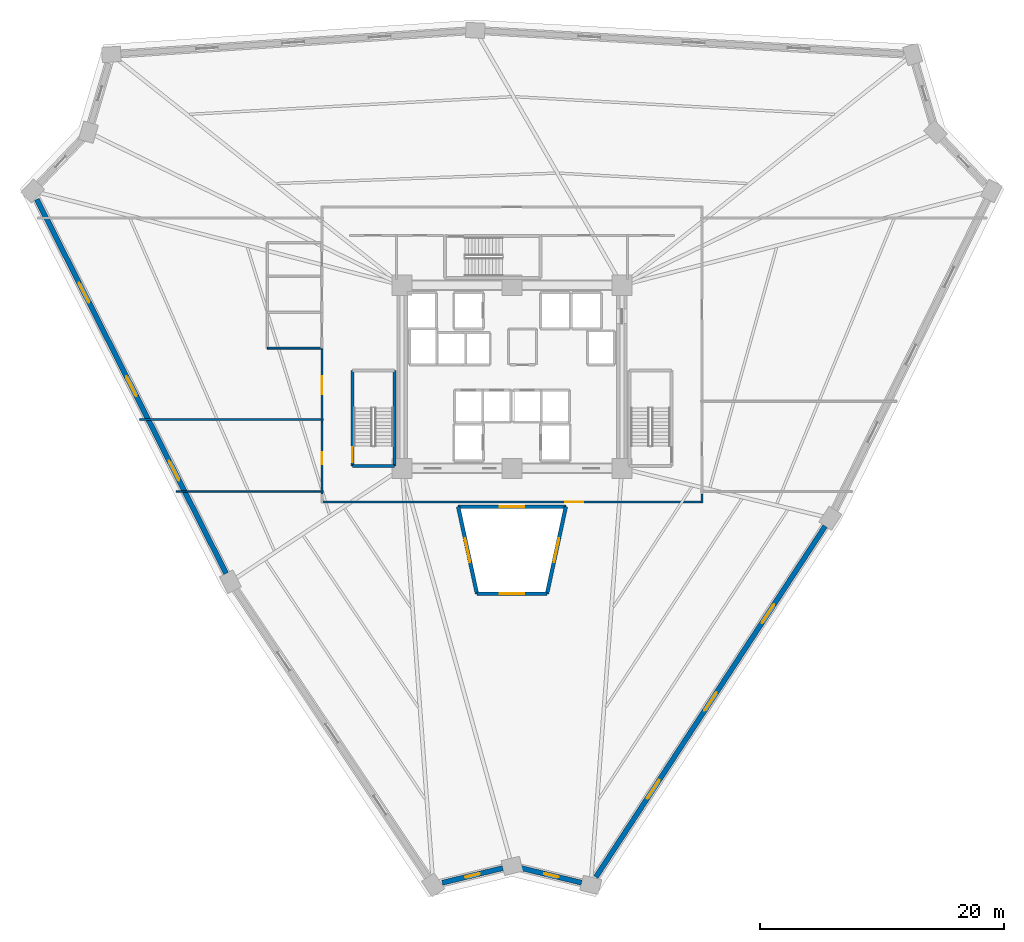
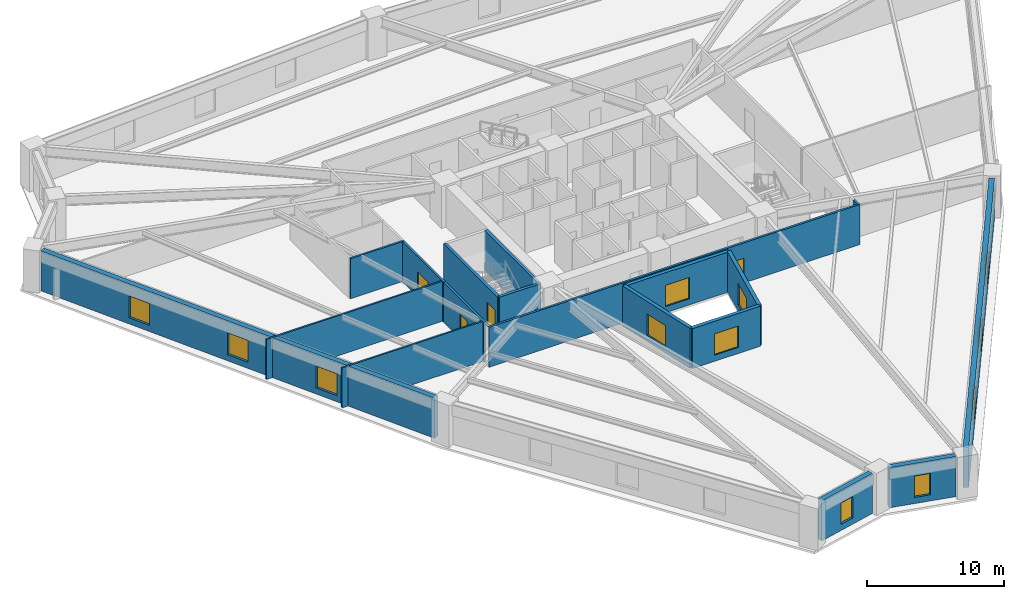
# One storey, part 3 of 8: 18 walls, 12 windows, 4 doors, 16 openings.
"""IFC4 building model written with IfcOpenShell, lengths in metres."""

from ifc_helpers import new_model, si_unit, direction, frame, frame_2d, origin, place, context, subcontext, project, spatial, rectangle, extrude, source, transform, mapped, material, layer, layer_set, type_object, element, fill, save


model = new_model("IFC4")

# Units and contexts
model_context = context("Model", 3, precision=1e-05, world=origin(), true_north=direction((0.0, 1.0)))
body_context = subcontext(model_context, "Body", "Model", "MODEL_VIEW")
ifc_project = project(units=[si_unit("LENGTHUNIT", "METRE"), si_unit("AREAUNIT", "SQUARE_METRE"), si_unit("VOLUMEUNIT", "CUBIC_METRE"), si_unit("PLANEANGLEUNIT", "RADIAN"), si_unit("MASSUNIT", "GRAM", prefix="KILO")], contexts=[model_context])

# Site, building, storey
site_placement = place(None, origin())
site = spatial("IfcSite", under=ifc_project, at=site_placement, CompositionType="ELEMENT")
building_placement = place(site_placement, origin())
building = spatial("IfcBuilding", under=site, at=building_placement, Name="Liaohun Quay Tower", CompositionType="ELEMENT")
storey_placement = place(building_placement, frame((0.0, 0.0, 32.25)))
storey = spatial("IfcBuildingStorey", under=building, at=storey_placement, Name="L08", CompositionType="ELEMENT", Elevation=32.25)

# Wall, opening, window
ifc_material_1 = material(Name="Concrete C50", Category="concrete")
ifc_layer_1 = layer(ifc_material_1, 0.300048828125, Name="Concrete C50", Category="concrete")
ifc_layer_set_1 = layer_set([ifc_layer_1], Name="Concrete C50")
wall_type_1 = type_object("IfcWallType", Name="WAL-ATR-300", PredefinedType="SOLIDWALL", material=ifc_layer_set_1)
wall_1_placement = place(storey_placement, frame((57.133056640625, 36.22998046875, 0.0), z_axis=(0.0, 0.0, 1.0), x_axis=(-0.211350050716, 0.97741043378, 0.0)))
wall_1 = element("IfcWall", 1, at=wall_1_placement, inside=storey, type_object=wall_type_1, Name="L08 Atrium Fire Compartment Wall 1", PredefinedType="SOLIDWALL", context=body_context, shape_type="SweptSolid", body=[
    extrude(rectangle(XDim=7.30517578125, YDim=0.300048828125, at=frame_2d((3.652587890625, 0.0))), origin(), (0.0, 0.0, 1.0), 3.570068359375),
])
shared_shape_1 = source(origin(), body_context, "Body", "SweptSolid", [
    extrude(rectangle(XDim=2.0, YDim=1.89990234375, at=frame_2d((1.0, 0.949951171875))), frame((0.0, 0.159912109375, 0.0), z_axis=(0.0, -1.0, 0.0), x_axis=(1.0, 0.0, 0.0)), (0.0, 0.0, 1.0), 0.320068359375),
])
opening_1_placement = place(wall_1_placement, frame((2.653076171875, 0.0, 0.550048828125)))
opening_1 = element("IfcOpeningElement", 2, at=opening_1_placement, cuts=wall_1, Name="Opening W07", PredefinedType="OPENING", context=body_context, shape_type="MappedRepresentation", body=[
    mapped(shared_shape_1, transform((0.0, 0.0, 0.0), x_axis=(1.0, 0.0, 0.0), y_axis=(0.0, 1.0, 0.0), z_axis=(0.0, 0.0, 1.0), scale=1.0)),
])
ifc_material_2 = material(Name="Class A 180-min fire-resistant insulated glazing", Category="glass")
window_type_1 = type_object("IfcWindowType", Name="WIN-ATR-FIR", PartitioningType="DOUBLE_PANEL_VERTICAL", PredefinedType="WINDOW", material=ifc_material_2)
shared_shape_2 = source(origin(), body_context, "Body", "SweptSolid", [
    extrude(rectangle(XDim=2.0, YDim=1.89990234375, at=frame_2d((1.0, 0.949951171875))), frame((0.0, 0.030029296875, 0.0), z_axis=(0.0, -1.0, 0.0), x_axis=(1.0, 0.0, 0.0)), (0.0, 0.0, 1.0), 0.06005859375),
])
window_1_placement = place(opening_1_placement, origin())
window_1 = element("IfcWindow", 3, at=window_1_placement, inside=storey, type_object=window_type_1, Name="L08 Atrium Fire-Resistant Glazing W07-1", OverallHeight=1.89990234375, OverallWidth=2.0, PartitioningType="DOUBLE_PANEL_VERTICAL", PredefinedType="WINDOW", context=body_context, shape_type="MappedRepresentation", body=[
    mapped(shared_shape_2, transform((0.0, 0.0, 0.0), x_axis=(1.0, 0.0, 0.0), y_axis=(0.0, 1.0, 0.0), z_axis=(0.0, 0.0, 1.0), scale=1.0)),
])
fill(opening_1, window_1)

wall_2_placement = place(storey_placement, frame((55.589111328125, 43.3701171875, 0.0), z_axis=(0.0, 0.0, 1.0), x_axis=(1.0, 0.0, 0.0)))
wall_2 = element("IfcWall", 4, at=wall_2_placement, inside=storey, type_object=wall_type_1, Name="L08 Atrium Fire Compartment Wall 2", PredefinedType="SOLIDWALL", context=body_context, shape_type="SweptSolid", body=[
    extrude(rectangle(XDim=8.82177734375, YDim=0.300048828125, at=frame_2d((4.410888671875, 0.0))), origin(), (0.0, 0.0, 1.0), 3.570068359375),
])
opening_2_placement = place(wall_2_placement, frame((3.410888671875, 0.0, 0.550048828125)))
opening_2 = element("IfcOpeningElement", 5, at=opening_2_placement, cuts=wall_2, Name="Opening W07", PredefinedType="OPENING", context=body_context, shape_type="MappedRepresentation", body=[
    mapped(shared_shape_1, transform((0.0, 0.0, 0.0), x_axis=(1.0, 0.0, 0.0), y_axis=(0.0, 1.0, 0.0), z_axis=(0.0, 0.0, 1.0), scale=1.0)),
])
window_2_placement = place(opening_2_placement, origin())
window_2 = element("IfcWindow", 6, at=window_2_placement, inside=storey, type_object=window_type_1, Name="L08 Atrium Fire-Resistant Glazing W07-2", OverallHeight=1.89990234375, OverallWidth=2.0, PartitioningType="DOUBLE_PANEL_VERTICAL", PredefinedType="WINDOW", context=body_context, shape_type="MappedRepresentation", body=[
    mapped(shared_shape_2, transform((0.0, 0.0, 0.0), x_axis=(1.0, 0.0, 0.0), y_axis=(0.0, 1.0, 0.0), z_axis=(0.0, 0.0, 1.0), scale=1.0)),
])
fill(opening_2, window_2)

wall_3_placement = place(storey_placement, frame((64.410888671875, 43.3701171875, 0.0), z_axis=(0.0, 0.0, 1.0), x_axis=(-0.211350050716, -0.97741043378, 0.0)))
wall_3 = element("IfcWall", 7, at=wall_3_placement, inside=storey, type_object=wall_type_1, Name="L08 Atrium Fire Compartment Wall 3", PredefinedType="SOLIDWALL", context=body_context, shape_type="SweptSolid", body=[
    extrude(rectangle(XDim=7.30517578125, YDim=0.300048828125, at=frame_2d((3.652587890625, 0.0))), origin(), (0.0, 0.0, 1.0), 3.570068359375),
])
opening_3_placement = place(wall_3_placement, frame((2.653076171875, 0.0, 0.550048828125)))
opening_3 = element("IfcOpeningElement", 8, at=opening_3_placement, cuts=wall_3, Name="Opening W07", PredefinedType="OPENING", context=body_context, shape_type="MappedRepresentation", body=[
    mapped(shared_shape_1, transform((0.0, 0.0, 0.0), x_axis=(1.0, 0.0, 0.0), y_axis=(0.0, 1.0, 0.0), z_axis=(0.0, 0.0, 1.0), scale=1.0)),
])
window_3_placement = place(opening_3_placement, origin())
window_3 = element("IfcWindow", 9, at=window_3_placement, inside=storey, type_object=window_type_1, Name="L08 Atrium Fire-Resistant Glazing W07-3", OverallHeight=1.89990234375, OverallWidth=2.0, PartitioningType="DOUBLE_PANEL_VERTICAL", PredefinedType="WINDOW", context=body_context, shape_type="MappedRepresentation", body=[
    mapped(shared_shape_2, transform((0.0, 0.0, 0.0), x_axis=(1.0, 0.0, 0.0), y_axis=(0.0, 1.0, 0.0), z_axis=(0.0, 0.0, 1.0), scale=1.0)),
])
fill(opening_3, window_3)

wall_4_placement = place(storey_placement, frame((62.866943359375, 36.22998046875, 0.0), z_axis=(0.0, 0.0, 1.0), x_axis=(-1.0, 0.0, 0.0)))
wall_4 = element("IfcWall", 10, at=wall_4_placement, inside=storey, type_object=wall_type_1, Name="L08 Atrium Fire Compartment Wall 4", PredefinedType="SOLIDWALL", context=body_context, shape_type="SweptSolid", body=[
    extrude(rectangle(XDim=5.73388671875, YDim=0.300048828125, at=frame_2d((2.866943359375, 0.0))), origin(), (0.0, 0.0, 1.0), 3.570068359375),
])
opening_4_placement = place(wall_4_placement, frame((1.866943359375, 0.0, 0.550048828125)))
opening_4 = element("IfcOpeningElement", 11, at=opening_4_placement, cuts=wall_4, Name="Opening W07", PredefinedType="OPENING", context=body_context, shape_type="MappedRepresentation", body=[
    mapped(shared_shape_1, transform((0.0, 0.0, 0.0), x_axis=(1.0, 0.0, 0.0), y_axis=(0.0, 1.0, 0.0), z_axis=(0.0, 0.0, 1.0), scale=1.0)),
])
window_4_placement = place(opening_4_placement, origin())
window_4 = element("IfcWindow", 12, at=window_4_placement, inside=storey, type_object=window_type_1, Name="L08 Atrium Fire-Resistant Glazing W07-4", OverallHeight=1.89990234375, OverallWidth=2.0, PartitioningType="DOUBLE_PANEL_VERTICAL", PredefinedType="WINDOW", context=body_context, shape_type="MappedRepresentation", body=[
    mapped(shared_shape_2, transform((0.0, 0.0, 0.0), x_axis=(1.0, 0.0, 0.0), y_axis=(0.0, 1.0, 0.0), z_axis=(0.0, 0.0, 1.0), scale=1.0)),
])
fill(opening_4, window_4)

ifc_material_3 = material(Name="Precast concrete C50 insulated sandwich", Category="concrete")
ifc_layer_2 = layer(ifc_material_3, 0.419921875, Name="Precast concrete C50 insulated sandwich", Category="concrete")
ifc_layer_set_2 = layer_set([ifc_layer_2], Name="Precast concrete C50 insulated sandwich")
wall_type_2 = type_object("IfcWallType", Name="WAL-EXT-Z12", PredefinedType="SOLIDWALL", material=ifc_layer_set_2)
wall_5_placement = place(storey_placement, frame((60.743896484375, 13.77587890625, 0.0), z_axis=(0.0, 0.0, 1.0), x_axis=(0.972105159674, -0.234545429577, 0.0)))
wall_5 = element("IfcWall", 13, at=wall_5_placement, inside=storey, type_object=wall_type_2, Name="L08 Brutalist Precast Pier Wall 01", PredefinedType="SOLIDWALL", context=body_context, shape_type="SweptSolid", body=[
    extrude(rectangle(XDim=5.1025390625, YDim=0.419921875, at=frame_2d((2.55126953125, 0.0))), origin(), (0.0, 0.0, 1.0), 3.570068359375),
])
shared_shape_3 = source(origin(), body_context, "Body", "SweptSolid", [
    extrude(rectangle(XDim=1.199951171875, YDim=1.89990234375, at=frame_2d((0.60009765625, 0.949951171875))), frame((0.0, 0.219970703125, 0.0), z_axis=(0.0, -1.0, 0.0), x_axis=(1.0, 0.0, 0.0)), (0.0, 0.0, 1.0), 0.43994140625),
])
opening_5_placement = place(wall_5_placement, frame((1.950927734375, 0.0, 0.550048828125)))
opening_5 = element("IfcOpeningElement", 14, at=opening_5_placement, cuts=wall_5, Name="Opening W05", PredefinedType="OPENING", context=body_context, shape_type="MappedRepresentation", body=[
    mapped(shared_shape_3, transform((0.0, 0.0, 0.0), x_axis=(1.0, 0.0, 0.0), y_axis=(0.0, 1.0, 0.0), z_axis=(0.0, 0.0, 1.0), scale=1.0)),
])
ifc_material_4 = material(Name="Triple Low-E corner notch glazing", Category="glass")
window_type_2 = type_object("IfcWindowType", Name="WIN-NOTCH", PartitioningType="SINGLE_PANEL", PredefinedType="WINDOW", material=ifc_material_4)
shared_shape_4 = source(origin(), body_context, "Body", "SweptSolid", [
    extrude(rectangle(XDim=1.199951171875, YDim=1.89990234375, at=frame_2d((0.60009765625, 0.949951171875))), frame((0.0, 0.030029296875, 0.0), z_axis=(0.0, -1.0, 0.0), x_axis=(1.0, 0.0, 0.0)), (0.0, 0.0, 1.0), 0.06005859375),
])
window_5_placement = place(opening_5_placement, origin())
window_5 = element("IfcWindow", 15, at=window_5_placement, inside=storey, type_object=window_type_2, Name="L08 Corner Notch Window W05-01", OverallHeight=1.89990234375, OverallWidth=1.199951171875, PartitioningType="SINGLE_PANEL", PredefinedType="WINDOW", context=body_context, shape_type="MappedRepresentation", body=[
    mapped(shared_shape_4, transform((0.0, 0.0, 0.0), x_axis=(1.0, 0.0, 0.0), y_axis=(0.0, 1.0, 0.0), z_axis=(0.0, 0.0, 1.0), scale=1.0)),
])
fill(opening_5, window_5)

# Wall, openings, windows
wall_6_placement = place(storey_placement, frame((66.865966796875, 13.0390625, 0.0), z_axis=(0.0, 0.0, 1.0), x_axis=(0.546962537422, 0.837157083621, 0.0)))
wall_6 = element("IfcWall", 16, at=wall_6_placement, inside=storey, type_object=wall_type_2, Name="L08 Brutalist Precast Pier Wall 02", PredefinedType="SOLIDWALL", context=body_context, shape_type="SweptSolid", body=[
    extrude(rectangle(XDim=34.335205078125, YDim=0.419921875, at=frame_2d((17.16748046875, 0.0))), origin(), (0.0, 0.0, 1.0), 3.570068359375),
])
shared_shape_5 = source(origin(), body_context, "Body", "SweptSolid", [
    extrude(rectangle(XDim=1.800048828125, YDim=1.949951171875, at=frame_2d((0.89990234375, 0.97509765625))), frame((0.0, 0.219970703125, 0.0), z_axis=(0.0, -1.0, 0.0), x_axis=(1.0, 0.0, 0.0)), (0.0, 0.0, 1.0), 0.43994140625),
])
opening_6_placement = place(wall_6_placement, frame((7.68408203125, 0.0, 0.550048828125)))
opening_6 = element("IfcOpeningElement", 17, at=opening_6_placement, cuts=wall_6, Name="Opening W01", PredefinedType="OPENING", context=body_context, shape_type="MappedRepresentation", body=[
    mapped(shared_shape_5, transform((0.0, 0.0, 0.0), x_axis=(1.0, 0.0, 0.0), y_axis=(0.0, 1.0, 0.0), z_axis=(0.0, 0.0, 1.0), scale=1.0)),
])
opening_7_placement = place(wall_6_placement, frame((16.26806640625, 0.0, 0.550048828125)))
opening_7 = element("IfcOpeningElement", 18, at=opening_7_placement, cuts=wall_6, Name="Opening W01", PredefinedType="OPENING", context=body_context, shape_type="MappedRepresentation", body=[
    mapped(shared_shape_5, transform((0.0, 0.0, 0.0), x_axis=(1.0, 0.0, 0.0), y_axis=(0.0, 1.0, 0.0), z_axis=(0.0, 0.0, 1.0), scale=1.0)),
])
opening_8_placement = place(wall_6_placement, frame((24.85107421875, 0.0, 0.550048828125)))
opening_8 = element("IfcOpeningElement", 19, at=opening_8_placement, cuts=wall_6, Name="Opening W01", PredefinedType="OPENING", context=body_context, shape_type="MappedRepresentation", body=[
    mapped(shared_shape_5, transform((0.0, 0.0, 0.0), x_axis=(1.0, 0.0, 0.0), y_axis=(0.0, 1.0, 0.0), z_axis=(0.0, 0.0, 1.0), scale=1.0)),
])
ifc_material_5 = material(Name="Triple Low-E argon glazing in thermally broken aluminium", Category="aluminium")
window_type_3 = type_object("IfcWindowType", Name="WIN-PUN-Z1", PartitioningType="DOUBLE_PANEL_VERTICAL", PredefinedType="WINDOW", material=ifc_material_5)
shared_shape_6 = source(origin(), body_context, "Body", "SweptSolid", [
    extrude(rectangle(XDim=1.800048828125, YDim=1.949951171875, at=frame_2d((0.89990234375, 0.97509765625))), frame((0.0, 0.030029296875, 0.0), z_axis=(0.0, -1.0, 0.0), x_axis=(1.0, 0.0, 0.0)), (0.0, 0.0, 1.0), 0.06005859375),
])
window_6_placement = place(opening_6_placement, origin())
window_6 = element("IfcWindow", 20, at=window_6_placement, inside=storey, type_object=window_type_3, Name="L08 Recessed Cold-Climate Punched Window 02-1", OverallHeight=1.949951171875, OverallWidth=1.800048828125, PartitioningType="DOUBLE_PANEL_VERTICAL", PredefinedType="WINDOW", context=body_context, shape_type="MappedRepresentation", body=[
    mapped(shared_shape_6, transform((0.0, 0.0, 0.0), x_axis=(1.0, 0.0, 0.0), y_axis=(0.0, 1.0, 0.0), z_axis=(0.0, 0.0, 1.0), scale=1.0)),
])
fill(opening_6, window_6)
window_7_placement = place(opening_7_placement, origin())
window_7 = element("IfcWindow", 21, at=window_7_placement, inside=storey, type_object=window_type_3, Name="L08 Recessed Cold-Climate Punched Window 02-2", OverallHeight=1.949951171875, OverallWidth=1.800048828125, PartitioningType="DOUBLE_PANEL_VERTICAL", PredefinedType="WINDOW", context=body_context, shape_type="MappedRepresentation", body=[
    mapped(shared_shape_6, transform((0.0, 0.0, 0.0), x_axis=(1.0, 0.0, 0.0), y_axis=(0.0, 1.0, 0.0), z_axis=(0.0, 0.0, 1.0), scale=1.0)),
])
fill(opening_7, window_7)
window_8_placement = place(opening_8_placement, origin())
window_8 = element("IfcWindow", 22, at=window_8_placement, inside=storey, type_object=window_type_3, Name="L08 Recessed Cold-Climate Punched Window 02-3", OverallHeight=1.949951171875, OverallWidth=1.800048828125, PartitioningType="DOUBLE_PANEL_VERTICAL", PredefinedType="WINDOW", context=body_context, shape_type="MappedRepresentation", body=[
    mapped(shared_shape_6, transform((0.0, 0.0, 0.0), x_axis=(1.0, 0.0, 0.0), y_axis=(0.0, 1.0, 0.0), z_axis=(0.0, 0.0, 1.0), scale=1.0)),
])
fill(opening_8, window_8)

wall_7_placement = place(storey_placement, frame((21.093017578125, 68.533935546875, 0.0), z_axis=(0.0, 0.0, 1.0), x_axis=(0.451540292752, -0.892250729348, 0.0)))
wall_7 = element("IfcWall", 23, at=wall_7_placement, inside=storey, type_object=wall_type_2, Name="L08 Brutalist Precast Pier Wall 10", PredefinedType="SOLIDWALL", context=body_context, shape_type="SweptSolid", body=[
    extrude(rectangle(XDim=34.33349609375, YDim=0.419921875, at=frame_2d((17.166748046875, 0.0))), origin(), (0.0, 0.0, 1.0), 3.570068359375),
])
opening_9_placement = place(wall_7_placement, frame((7.68310546875, 0.0, 0.550048828125)))
opening_9 = element("IfcOpeningElement", 24, at=opening_9_placement, cuts=wall_7, Name="Opening W01", PredefinedType="OPENING", context=body_context, shape_type="MappedRepresentation", body=[
    mapped(shared_shape_5, transform((0.0, 0.0, 0.0), x_axis=(1.0, 0.0, 0.0), y_axis=(0.0, 1.0, 0.0), z_axis=(0.0, 0.0, 1.0), scale=1.0)),
])
opening_10_placement = place(wall_7_placement, frame((16.26708984375, 0.0, 0.550048828125)))
opening_10 = element("IfcOpeningElement", 25, at=opening_10_placement, cuts=wall_7, Name="Opening W01", PredefinedType="OPENING", context=body_context, shape_type="MappedRepresentation", body=[
    mapped(shared_shape_5, transform((0.0, 0.0, 0.0), x_axis=(1.0, 0.0, 0.0), y_axis=(0.0, 1.0, 0.0), z_axis=(0.0, 0.0, 1.0), scale=1.0)),
])
opening_11_placement = place(wall_7_placement, frame((24.0, 0.0, 0.550048828125)))
opening_11 = element("IfcOpeningElement", 26, at=opening_11_placement, cuts=wall_7, Name="Opening W01", PredefinedType="OPENING", context=body_context, shape_type="MappedRepresentation", body=[
    mapped(shared_shape_5, transform((0.0, 0.0, 0.0), x_axis=(1.0, 0.0, 0.0), y_axis=(0.0, 1.0, 0.0), z_axis=(0.0, 0.0, 1.0), scale=1.0)),
])
window_9_placement = place(opening_9_placement, origin())
window_9 = element("IfcWindow", 27, at=window_9_placement, inside=storey, type_object=window_type_3, Name="L08 Recessed Cold-Climate Punched Window 10-1", OverallHeight=1.949951171875, OverallWidth=1.800048828125, PartitioningType="DOUBLE_PANEL_VERTICAL", PredefinedType="WINDOW", context=body_context, shape_type="MappedRepresentation", body=[
    mapped(shared_shape_6, transform((0.0, 0.0, 0.0), x_axis=(1.0, 0.0, 0.0), y_axis=(0.0, 1.0, 0.0), z_axis=(0.0, 0.0, 1.0), scale=1.0)),
])
fill(opening_9, window_9)
window_10_placement = place(opening_10_placement, origin())
window_10 = element("IfcWindow", 28, at=window_10_placement, inside=storey, type_object=window_type_3, Name="L08 Recessed Cold-Climate Punched Window 10-2", OverallHeight=1.949951171875, OverallWidth=1.800048828125, PartitioningType="DOUBLE_PANEL_VERTICAL", PredefinedType="WINDOW", context=body_context, shape_type="MappedRepresentation", body=[
    mapped(shared_shape_6, transform((0.0, 0.0, 0.0), x_axis=(1.0, 0.0, 0.0), y_axis=(0.0, 1.0, 0.0), z_axis=(0.0, 0.0, 1.0), scale=1.0)),
])
fill(opening_10, window_10)
window_11_placement = place(opening_11_placement, origin())
window_11 = element("IfcWindow", 29, at=window_11_placement, inside=storey, type_object=window_type_3, Name="L08 Recessed Cold-Climate Punched Window 10-3", OverallHeight=1.949951171875, OverallWidth=1.800048828125, PartitioningType="DOUBLE_PANEL_VERTICAL", PredefinedType="WINDOW", context=body_context, shape_type="MappedRepresentation", body=[
    mapped(shared_shape_6, transform((0.0, 0.0, 0.0), x_axis=(1.0, 0.0, 0.0), y_axis=(0.0, 1.0, 0.0), z_axis=(0.0, 0.0, 1.0), scale=1.0)),
])
fill(opening_11, window_11)

# Wall, opening, window
wall_8_placement = place(storey_placement, frame((54.2900390625, 12.576904296875, 0.0), z_axis=(0.0, 0.0, 1.0), x_axis=(0.972070179576, 0.234690361924, 0.0)))
wall_8 = element("IfcWall", 30, at=wall_8_placement, inside=storey, type_object=wall_type_2, Name="L08 Brutalist Precast Pier Wall 12", PredefinedType="SOLIDWALL", context=body_context, shape_type="SweptSolid", body=[
    extrude(rectangle(XDim=5.108642578125, YDim=0.419921875, at=frame_2d((2.55419921875, 0.0))), origin(), (0.0, 0.0, 1.0), 3.570068359375),
])
opening_12_placement = place(wall_8_placement, frame((1.9541015625, 0.0, 0.550048828125)))
opening_12 = element("IfcOpeningElement", 31, at=opening_12_placement, cuts=wall_8, Name="Opening W05", PredefinedType="OPENING", context=body_context, shape_type="MappedRepresentation", body=[
    mapped(shared_shape_3, transform((0.0, 0.0, 0.0), x_axis=(1.0, 0.0, 0.0), y_axis=(0.0, 1.0, 0.0), z_axis=(0.0, 0.0, 1.0), scale=1.0)),
])
window_12_placement = place(opening_12_placement, origin())
window_12 = element("IfcWindow", 32, at=window_12_placement, inside=storey, type_object=window_type_2, Name="L08 Corner Notch Window W05-12", OverallHeight=1.89990234375, OverallWidth=1.199951171875, PartitioningType="SINGLE_PANEL", PredefinedType="WINDOW", context=body_context, shape_type="MappedRepresentation", body=[
    mapped(shared_shape_4, transform((0.0, 0.0, 0.0), x_axis=(1.0, 0.0, 0.0), y_axis=(0.0, 1.0, 0.0), z_axis=(0.0, 0.0, 1.0), scale=1.0)),
])
fill(opening_12, window_12)

# Wall, opening, door
ifc_material_6 = material(Name="Autoclaved aerated concrete blockwork", Category="masonry")
ifc_layer_3 = layer(ifc_material_6, 0.179931640625, Name="Autoclaved aerated concrete blockwork", Category="masonry")
ifc_layer_set_3 = layer_set([ifc_layer_3], Name="Autoclaved aerated concrete blockwork")
wall_type_3 = type_object("IfcWallType", Name="WAL-PRT-COR", PredefinedType="PARTITIONING", material=ifc_layer_set_3)
wall_9_placement = place(storey_placement, frame((44.43994140625, 50.284912109375, 0.0), z_axis=(0.0, 0.0, 1.0), x_axis=(0.0, 1.0, 0.0)))
wall_9 = element("IfcWall", 33, at=wall_9_placement, inside=storey, type_object=wall_type_3, Name="L08 Interior Partition Wall 011", PredefinedType="PARTITIONING", context=body_context, shape_type="SweptSolid", body=[
    extrude(rectangle(XDim=6.05517578125, YDim=0.179931640625, at=frame_2d((3.027587890625, 0.0))), origin(), (0.0, 0.0, 1.0), 3.570068359375),
])
shared_shape_7 = source(origin(), body_context, "Body", "SweptSolid", [
    extrude(rectangle(XDim=1.5, YDim=2.199951171875, at=frame_2d((0.75, 1.10009765625))), frame((0.0, 0.099853515625, 0.0), z_axis=(0.0, -1.0, 0.0), x_axis=(1.0, 0.0, 0.0)), (0.0, 0.0, 1.0), 0.199951171875),
])
opening_13_placement = place(wall_9_placement, frame((2.278076171875, 0.0, 0.0)))
opening_13 = element("IfcOpeningElement", 34, at=opening_13_placement, cuts=wall_9, Name="Opening OD2", PredefinedType="OPENING", context=body_context, shape_type="MappedRepresentation", body=[
    mapped(shared_shape_7, transform((0.0, 0.0, 0.0), x_axis=(1.0, 0.0, 0.0), y_axis=(0.0, 1.0, 0.0), z_axis=(0.0, 0.0, 1.0), scale=1.0)),
])
ifc_material_7 = material(Name="Acoustic oak veneer double door")
door_type_1 = type_object("IfcDoorType", Name="DOR-OFF-1500", OperationType="DOUBLE_DOOR_SINGLE_SWING", PredefinedType="DOOR", material=ifc_material_7)
shared_shape_8 = source(origin(), body_context, "Body", "SweptSolid", [
    extrude(rectangle(XDim=1.5, YDim=2.199951171875, at=frame_2d((0.75, 1.10009765625))), frame((0.0, 0.02490234375, 0.0), z_axis=(0.0, -1.0, 0.0), x_axis=(1.0, 0.0, 0.0)), (0.0, 0.0, 1.0), 0.050048828125),
])
door_1_placement = place(opening_13_placement, origin())
door_1 = element("IfcDoor", 35, at=door_1_placement, inside=storey, type_object=door_type_1, Name="L08 Architectural Design Studio 03 Door", OperationType="DOUBLE_DOOR_SINGLE_SWING", OverallHeight=2.199951171875, OverallWidth=1.5, PredefinedType="DOOR", context=body_context, shape_type="MappedRepresentation", body=[
    mapped(shared_shape_8, transform((0.0, 0.0, 0.0), x_axis=(1.0, 0.0, 0.0), y_axis=(0.0, 1.0, 0.0), z_axis=(0.0, 0.0, 1.0), scale=1.0)),
])
fill(opening_13, door_1)

wall_10_placement = place(storey_placement, frame((44.43994140625, 44.385009765625, 0.0), z_axis=(0.0, 0.0, 1.0), x_axis=(0.0, 1.0, 0.0)))
wall_10 = element("IfcWall", 36, at=wall_10_placement, inside=storey, type_object=wall_type_3, Name="L08 Interior Partition Wall 012", PredefinedType="PARTITIONING", context=body_context, shape_type="SweptSolid", body=[
    extrude(rectangle(XDim=5.89990234375, YDim=0.179931640625, at=frame_2d((2.949951171875, 0.0))), origin(), (0.0, 0.0, 1.0), 3.570068359375),
])
shared_shape_9 = source(origin(), body_context, "Body", "SweptSolid", [
    extrude(rectangle(XDim=1.0, YDim=2.199951171875, at=frame_2d((0.5, 1.10009765625))), frame((0.0, 0.099853515625, 0.0), z_axis=(0.0, -1.0, 0.0), x_axis=(1.0, 0.0, 0.0)), (0.0, 0.0, 1.0), 0.199951171875),
])
opening_14_placement = place(wall_10_placement, frame((2.449951171875, 0.0, 0.0)))
opening_14 = element("IfcOpeningElement", 37, at=opening_14_placement, cuts=wall_10, Name="Opening OD1", PredefinedType="OPENING", context=body_context, shape_type="MappedRepresentation", body=[
    mapped(shared_shape_9, transform((0.0, 0.0, 0.0), x_axis=(1.0, 0.0, 0.0), y_axis=(0.0, 1.0, 0.0), z_axis=(0.0, 0.0, 1.0), scale=1.0)),
])
ifc_material_8 = material(Name="Solid-core oak veneer timber leaf in steel frame", Category="steel")
door_type_2 = type_object("IfcDoorType", Name="DOR-OFF-1000", OperationType="NOTDEFINED", PredefinedType="DOOR", material=ifc_material_8)
shared_shape_10 = source(origin(), body_context, "Body", "SweptSolid", [
    extrude(rectangle(XDim=1.0, YDim=2.199951171875, at=frame_2d((0.5, 1.10009765625))), frame((0.0, 0.02490234375, 0.0), z_axis=(0.0, -1.0, 0.0), x_axis=(1.0, 0.0, 0.0)), (0.0, 0.0, 1.0), 0.050048828125),
])
door_2_placement = place(opening_14_placement, origin())
door_2 = element("IfcDoor", 38, at=door_2_placement, inside=storey, type_object=door_type_2, Name="L08 Project Collaboration Studio 04 Door", OperationType="SINGLE_SWING_LEFT", OverallHeight=2.199951171875, OverallWidth=1.0, PredefinedType="DOOR", context=body_context, shape_type="MappedRepresentation", body=[
    mapped(shared_shape_10, transform((0.0, 0.0, 0.0), x_axis=(1.0, 0.0, 0.0), y_axis=(0.0, 1.0, 0.0), z_axis=(0.0, 0.0, 1.0), scale=1.0)),
])
fill(opening_14, door_2)

wall_11_placement = place(storey_placement, frame((75.6298828125, 43.739990234375, 0.0), z_axis=(0.0, 0.0, 1.0), x_axis=(-1.0, 0.0, 0.0)))
wall_11 = element("IfcWall", 39, at=wall_11_placement, inside=storey, type_object=wall_type_3, Name="L08 Interior Partition Wall 013", PredefinedType="PARTITIONING", context=body_context, shape_type="SweptSolid", body=[
    extrude(rectangle(XDim=31.259765625, YDim=0.179931640625, at=frame_2d((15.6298828125, 0.0))), origin(), (0.0, 0.0, 1.0), 3.570068359375),
])
opening_15_placement = place(wall_11_placement, frame((9.780029296875, 0.0, 0.0)))
opening_15 = element("IfcOpeningElement", 40, at=opening_15_placement, cuts=wall_11, Name="Opening OD2", PredefinedType="OPENING", context=body_context, shape_type="MappedRepresentation", body=[
    mapped(shared_shape_7, transform((0.0, 0.0, 0.0), x_axis=(1.0, 0.0, 0.0), y_axis=(0.0, 1.0, 0.0), z_axis=(0.0, 0.0, 1.0), scale=1.0)),
])
door_3_placement = place(opening_15_placement, origin())
door_3 = element("IfcDoor", 41, at=door_3_placement, inside=storey, type_object=door_type_1, Name="L08 Technical Reference Library 05 Door", OperationType="DOUBLE_DOOR_SINGLE_SWING", OverallHeight=2.199951171875, OverallWidth=1.5, PredefinedType="DOOR", context=body_context, shape_type="MappedRepresentation", body=[
    mapped(shared_shape_8, transform((0.0, 0.0, 0.0), x_axis=(1.0, 0.0, 0.0), y_axis=(0.0, 1.0, 0.0), z_axis=(0.0, 0.0, 1.0), scale=1.0)),
])
fill(opening_15, door_3)

# Walls
wall_12_placement = place(storey_placement, frame((75.56005859375, 44.385009765625, 0.0), z_axis=(0.0, 0.0, 1.0), x_axis=(0.0, -1.0, 0.0)))
element("IfcWall", 42, at=wall_12_placement, inside=storey, type_object=wall_type_3, Name="L08 Interior Partition Wall 029", PredefinedType="PARTITIONING", context=body_context, shape_type="SweptSolid", body=[
    extrude(rectangle(XDim=0.715087890625, YDim=0.179931640625, at=frame_2d((0.357421875, 0.0))), origin(), (0.0, 0.0, 1.0), 3.570068359375),
])
ifc_material_9 = material(Name="Gypsum board on twin steel studs", Category="steel")
ifc_layer_4 = layer(ifc_material_9, 0.139892578125, Name="Gypsum board on twin steel studs", Category="steel")
ifc_layer_set_4 = layer_set([ifc_layer_4], Name="Gypsum board on twin steel studs")
wall_type_4 = type_object("IfcWallType", Name="WAL-PRT-OFF", PredefinedType="PARTITIONING", material=ifc_layer_set_4)
wall_13_placement = place(storey_placement, frame((44.5400390625, 44.60009765625, 0.0), z_axis=(0.0, 0.0, 1.0), x_axis=(-1.0, 0.0, 0.0)))
element("IfcWall", 43, at=wall_13_placement, inside=storey, type_object=wall_type_4, Name="L08 Interior Partition Wall 030", PredefinedType="PARTITIONING", context=body_context, shape_type="SweptSolid", body=[
    extrude(rectangle(XDim=12.041015625, YDim=0.139892578125, at=frame_2d((6.0205078125, 0.0))), origin(), (0.0, 0.0, 1.0), 3.570068359375),
])
wall_14_placement = place(storey_placement, frame((44.5400390625, 50.5, 0.0), z_axis=(0.0, 0.0, 1.0), x_axis=(-1.0, 0.0, 0.0)))
element("IfcWall", 44, at=wall_14_placement, inside=storey, type_object=wall_type_4, Name="L08 Interior Partition Wall 031", PredefinedType="PARTITIONING", context=body_context, shape_type="SweptSolid", body=[
    extrude(rectangle(XDim=15.027099609375, YDim=0.139892578125, at=frame_2d((7.513671875, 0.0))), origin(), (0.0, 0.0, 1.0), 3.570068359375),
])
ifc_material_10 = material(Name="Moisture-resistant masonry blockwork", Category="masonry")
ifc_layer_5 = layer(ifc_material_10, 0.159912109375, Name="Moisture-resistant masonry blockwork", Category="masonry")
ifc_layer_set_5 = layer_set([ifc_layer_5], Name="Moisture-resistant masonry blockwork")
wall_type_5 = type_object("IfcWallType", Name="WAL-PRT-WET", PredefinedType="PARTITIONING", material=ifc_layer_set_5)
wall_15_placement = place(storey_placement, frame((39.97998046875, 56.340087890625, 0.0), z_axis=(0.0, 0.0, 1.0), x_axis=(1.0, 0.0, 0.0)))
element("IfcWall", 45, at=wall_15_placement, inside=storey, type_object=wall_type_5, Name="L08 Interior Partition Wall 019", PredefinedType="PARTITIONING", context=body_context, shape_type="SweptSolid", body=[
    extrude(rectangle(XDim=4.4599609375, YDim=0.159912109375, at=frame_2d((2.22998046875, 0.0))), origin(), (0.0, 0.0, 1.0), 3.570068359375),
])
ifc_layer_6 = layer(ifc_material_1, 0.239990234375, Name="Concrete C50", Category="concrete")
ifc_layer_set_6 = layer_set([ifc_layer_6], Name="Concrete C50")
wall_type_6 = type_object("IfcWallType", Name="WAL-SHF-200", PredefinedType="SOLIDWALL", material=ifc_layer_set_6)
wall_16_placement = place(storey_placement, frame((46.93994140625, 46.699951171875, 0.0), z_axis=(0.0, 0.0, 1.0), x_axis=(1.0, 0.0, 0.0)))
element("IfcWall", 46, at=wall_16_placement, inside=storey, type_object=wall_type_6, Name="L08 Stairwell ST-1 Structural Core Wall S", PredefinedType="SOLIDWALL", context=body_context, shape_type="SweptSolid", body=[
    extrude(rectangle(XDim=3.43994140625, YDim=0.239990234375, at=frame_2d((1.719970703125, 0.0))), origin(), (0.0, 0.0, 1.0), 3.570068359375),
])
wall_17_placement = place(storey_placement, frame((50.3798828125, 46.699951171875, 0.0), z_axis=(0.0, 0.0, 1.0), x_axis=(0.0, 1.0, 0.0)))
element("IfcWall", 47, at=wall_17_placement, inside=storey, type_object=wall_type_6, Name="L08 Stairwell ST-1 Structural Core Wall E", PredefinedType="SOLIDWALL", context=body_context, shape_type="SweptSolid", body=[
    extrude(rectangle(XDim=7.820068359375, YDim=0.239990234375, at=frame_2d((3.91015625, 0.0))), origin(), (0.0, 0.0, 1.0), 3.570068359375),
])

# Wall, opening, door
wall_18_placement = place(storey_placement, frame((46.93994140625, 54.52001953125, 0.0), z_axis=(0.0, 0.0, 1.0), x_axis=(0.0, -1.0, 0.0)))
wall_18 = element("IfcWall", 48, at=wall_18_placement, inside=storey, type_object=wall_type_6, Name="L08 Stairwell ST-1 Structural Core Wall W", PredefinedType="SOLIDWALL", context=body_context, shape_type="SweptSolid", body=[
    extrude(rectangle(XDim=7.820068359375, YDim=0.239990234375, at=frame_2d((3.91015625, 0.0))), origin(), (0.0, 0.0, 1.0), 3.570068359375),
])
shared_shape_11 = source(origin(), body_context, "Body", "SweptSolid", [
    extrude(rectangle(XDim=1.199951171875, YDim=2.199951171875, at=frame_2d((0.60009765625, 1.10009765625))), frame((0.0, 0.1298828125, 0.0), z_axis=(0.0, -1.0, 0.0), x_axis=(1.0, 0.0, 0.0)), (0.0, 0.0, 1.0), 0.260009765625),
])
opening_16_placement = place(wall_18_placement, frame((6.300048828125, 0.0, 0.0)))
opening_16 = element("IfcOpeningElement", 49, at=opening_16_placement, cuts=wall_18, Name="Opening SD1", PredefinedType="OPENING", context=body_context, shape_type="MappedRepresentation", body=[
    mapped(shared_shape_11, transform((0.0, 0.0, 0.0), x_axis=(1.0, 0.0, 0.0), y_axis=(0.0, 1.0, 0.0), z_axis=(0.0, 0.0, 1.0), scale=1.0)),
])
ifc_material_11 = material(Name="Galvanised steel fire door", Category="steel")
door_type_3 = type_object("IfcDoorType", Name="DOR-STR-1200", OperationType="NOTDEFINED", PredefinedType="DOOR", material=ifc_material_11)
shared_shape_12 = source(origin(), body_context, "Body", "SweptSolid", [
    extrude(rectangle(XDim=1.199951171875, YDim=2.199951171875, at=frame_2d((0.60009765625, 1.10009765625))), frame((0.0, 0.02490234375, 0.0), z_axis=(0.0, -1.0, 0.0), x_axis=(1.0, 0.0, 0.0)), (0.0, 0.0, 1.0), 0.050048828125),
])
door_4_placement = place(opening_16_placement, origin())
door_4 = element("IfcDoor", 50, at=door_4_placement, inside=storey, type_object=door_type_3, Name="L08 Protected Stair ST-1 Fire Door", OperationType="SINGLE_SWING_LEFT", OverallHeight=2.199951171875, OverallWidth=1.199951171875, PredefinedType="DOOR", context=body_context, shape_type="MappedRepresentation", body=[
    mapped(shared_shape_12, transform((0.0, 0.0, 0.0), x_axis=(1.0, 0.0, 0.0), y_axis=(0.0, 1.0, 0.0), z_axis=(0.0, 0.0, 1.0), scale=1.0)),
])
fill(opening_16, door_4)

save(model, "model.ifc")
